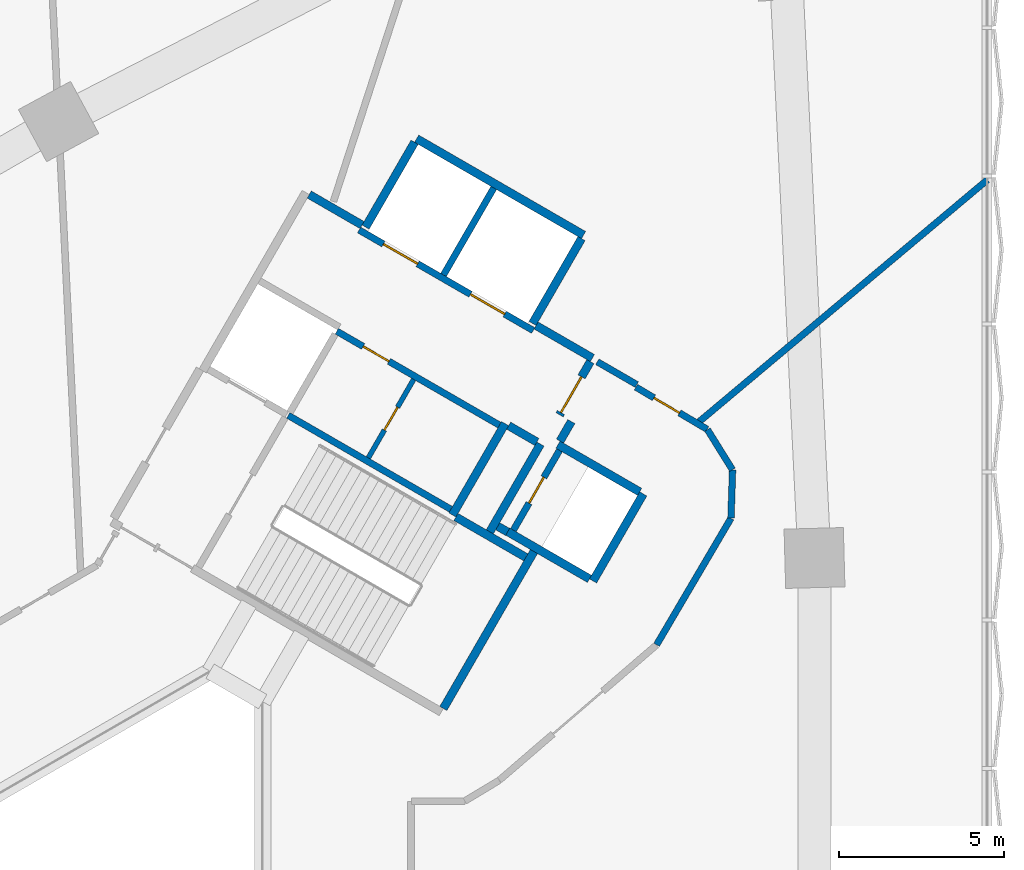
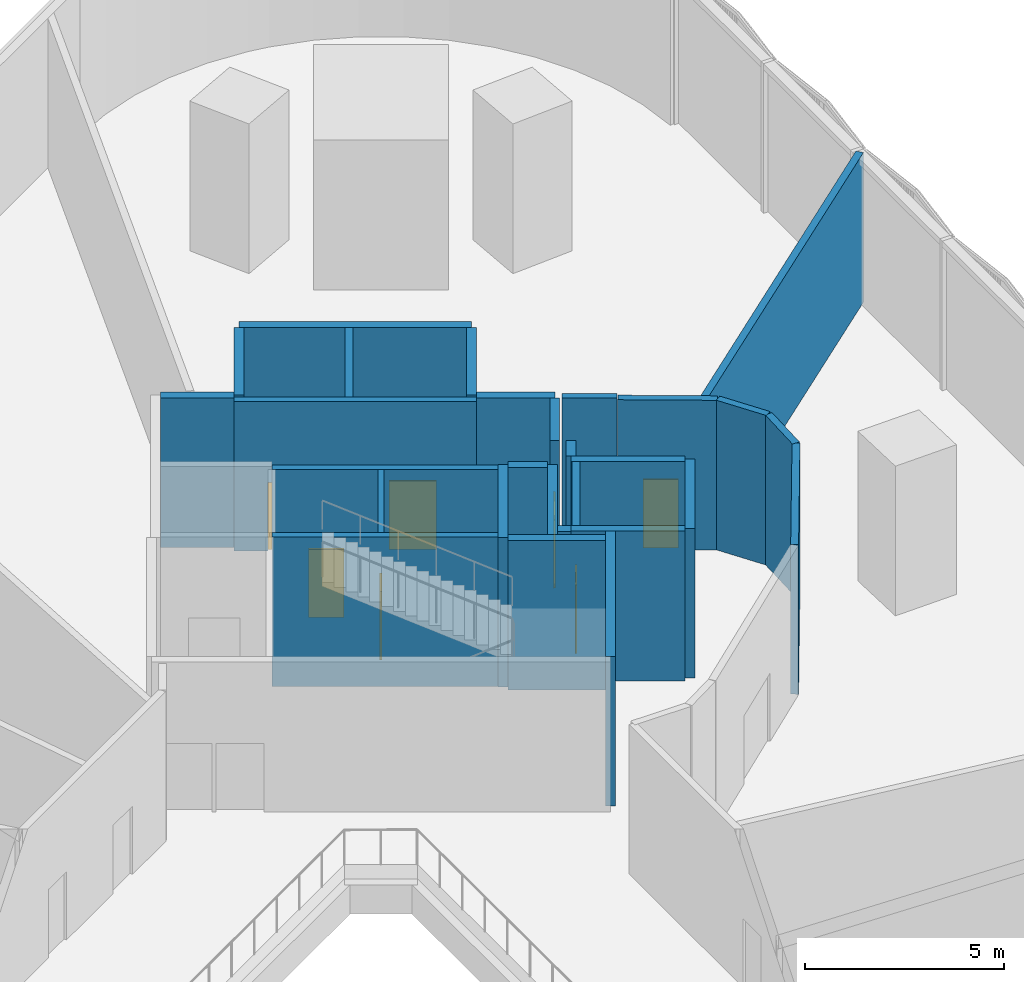
# One storey, part 10 of 14: 28 walls, 7 doors, 7 openings.
"""IFC4 building model written with IfcOpenShell, lengths in metres."""

from ifc_helpers import new_model, si_unit, direction, frame, frame_2d, origin, place, context, subcontext, project, spatial, rectangle, extrude, material, layer, layer_set, type_object, element, fill, save


model = new_model("IFC4")

# Units and contexts
model_context = context("Model", 3, precision=1e-05, world=origin(), true_north=direction((0.0, 1.0)))
body_context = subcontext(model_context, "Body", "Model", "MODEL_VIEW")
ifc_project = project(units=[si_unit("LENGTHUNIT", "METRE"), si_unit("AREAUNIT", "SQUARE_METRE"), si_unit("VOLUMEUNIT", "CUBIC_METRE"), si_unit("PLANEANGLEUNIT", "RADIAN"), si_unit("MASSUNIT", "GRAM", prefix="KILO")], contexts=[model_context])

# Site, building, storey
site_placement = place(None, origin())
site = spatial("IfcSite", under=ifc_project, at=site_placement, CompositionType="ELEMENT")
building_placement = place(site_placement, origin())
building = spatial("IfcBuilding", under=site, at=building_placement, Name="Tamra Quay Hotel Tower", CompositionType="ELEMENT")
storey_placement = place(building_placement, frame((0.0, 0.0, 24.5)))
storey = spatial("IfcBuildingStorey", under=building, at=storey_placement, Name="L04", CompositionType="ELEMENT", Elevation=24.5)

# Wall, openings, doors
ifc_material_1 = material(Name="Concrete M70", Category="concrete")
ifc_layer_1 = layer(ifc_material_1, 0.199951171875)
ifc_layer_set_1 = layer_set([ifc_layer_1], Name="Concrete M70 core wall 200")
wall_type_1 = type_object("IfcWallType", Name="Concrete M70 core wall 200", PredefinedType="SHEAR", material=ifc_layer_set_1)
wall_1_placement = place(storey_placement, frame((13.209716796875, 18.07958984375, 0.0), z_axis=(0.0, 0.0, 1.0), x_axis=(-0.866030299012, 0.499991521122, 0.0)))
wall_1 = element("IfcWall", 1, at=wall_1_placement, inside=storey, type_object=wall_type_1, Name="CW2", PredefinedType="SHEAR", context=body_context, shape_type="SweptSolid", body=[
    extrude(rectangle(XDim=6.10009765625, YDim=0.199951171875, at=frame_2d((3.050048828125, 0.0))), origin(), (0.0, 0.0, 1.0), 4.60009765625),
])
opening_1_placement = place(wall_1_placement, frame((1.0, 0.0, 0.0)))
opening_1 = element("IfcOpeningElement", 2, at=opening_1_placement, cuts=wall_1, Name="Opening LD", PredefinedType="OPENING", context=body_context, shape_type="SweptSolid", body=[
    extrude(rectangle(XDim=1.199951171875, YDim=2.10009765625, at=frame_2d((0.60009765625, 1.050048828125))), frame((0.0, 0.10986328125, 0.0), z_axis=(0.0, -1.0, 0.0), x_axis=(1.0, 0.0, 0.0)), (0.0, 0.0, 1.0), 0.219970703125),
])
opening_2_placement = place(wall_1_placement, frame((4.05029296875, 0.0, 0.0)))
opening_2 = element("IfcOpeningElement", 3, at=opening_2_placement, cuts=wall_1, Name="Opening LD", PredefinedType="OPENING", context=body_context, shape_type="SweptSolid", body=[
    extrude(rectangle(XDim=1.199951171875, YDim=2.10009765625, at=frame_2d((0.60009765625, 1.050048828125))), frame((0.0, 0.10986328125, 0.0), z_axis=(0.0, -1.0, 0.0), x_axis=(1.0, 0.0, 0.0)), (0.0, 0.0, 1.0), 0.219970703125),
])
ifc_material_2 = material(Name="Landing door LD 1200 double door sliding")
door_type_1 = type_object("IfcDoorType", Name="Landing door LD 1200 double door sliding", OperationType="DOUBLE_DOOR_SLIDING", PredefinedType="DOOR", material=ifc_material_2)
door_1_placement = place(opening_1_placement, origin())
door_1 = element("IfcDoor", 4, at=door_1_placement, inside=storey, type_object=door_type_1, Name="LD", OperationType="DOUBLE_DOOR_SLIDING", OverallHeight=2.10009765625, OverallWidth=1.199951171875, PredefinedType="DOOR", context=body_context, shape_type="SweptSolid", body=[
    extrude(rectangle(XDim=1.199951171875, YDim=2.10009765625, at=frame_2d((0.60009765625, 1.050048828125))), frame((0.0, 0.02490234375, 0.0), z_axis=(0.0, -1.0, 0.0), x_axis=(1.0, 0.0, 0.0)), (0.0, 0.0, 1.0), 0.050048828125),
])
fill(opening_1, door_1)
door_2_placement = place(opening_2_placement, origin())
door_2 = element("IfcDoor", 5, at=door_2_placement, inside=storey, type_object=door_type_1, Name="LD", OperationType="DOUBLE_DOOR_SLIDING", OverallHeight=2.10009765625, OverallWidth=1.199951171875, PredefinedType="DOOR", context=body_context, shape_type="SweptSolid", body=[
    extrude(rectangle(XDim=1.199951171875, YDim=2.10009765625, at=frame_2d((0.60009765625, 1.050048828125))), frame((0.0, 0.02490234375, 0.0), z_axis=(0.0, -1.0, 0.0), x_axis=(1.0, 0.0, 0.0)), (0.0, 0.0, 1.0), 0.050048828125),
])
fill(opening_2, door_2)

# Wall
wall_2_placement = place(storey_placement, frame((5.774658203125, 15.501953125, 0.0), z_axis=(0.0, 0.0, 1.0), x_axis=(0.866020080793, -0.500009219579, 0.0)))
element("IfcWall", 6, at=wall_2_placement, inside=storey, type_object=wall_type_1, Name="CW2", PredefinedType="SHEAR", context=body_context, shape_type="SweptSolid", body=[
    extrude(rectangle(XDim=5.69921875, YDim=0.199951171875, at=frame_2d((2.849609375, 0.0))), origin(), (0.0, 0.0, 1.0), 4.60009765625),
])

# Wall, opening, door
wall_3_placement = place(storey_placement, frame((12.18505859375, 15.20703125, 0.0), z_axis=(0.0, 0.0, 1.0), x_axis=(-0.866020080793, 0.500009219579, 0.0)))
wall_3 = element("IfcWall", 7, at=wall_3_placement, inside=storey, type_object=wall_type_1, Name="CW2", PredefinedType="SHEAR", context=body_context, shape_type="SweptSolid", body=[
    extrude(rectangle(XDim=5.69921875, YDim=0.199951171875, at=frame_2d((2.849609375, 0.0))), origin(), (0.0, 0.0, 1.0), 4.60009765625),
])
opening_3_placement = place(wall_3_placement, frame((3.8740234375, 0.0, 0.0)))
opening_3 = element("IfcOpeningElement", 8, at=opening_3_placement, cuts=wall_3, Name="Opening D2", PredefinedType="OPENING", context=body_context, shape_type="SweptSolid", body=[
    extrude(rectangle(XDim=0.89990234375, YDim=2.10009765625, at=frame_2d((0.449951171875, 1.050048828125))), frame((0.0, 0.10986328125, 0.0), z_axis=(0.0, -1.0, 0.0), x_axis=(1.0, 0.0, 0.0)), (0.0, 0.0, 1.0), 0.219970703125),
])
ifc_material_3 = material(Name="Core door D2 900x2100 RH")
door_type_2 = type_object("IfcDoorType", Name="Core door D2 900x2100 RH", OperationType="NOTDEFINED", PredefinedType="DOOR", material=ifc_material_3)
door_3_placement = place(opening_3_placement, origin())
door_3 = element("IfcDoor", 9, at=door_3_placement, inside=storey, type_object=door_type_2, Name="D2", OperationType="SINGLE_SWING_RIGHT", OverallHeight=2.10009765625, OverallWidth=0.89990234375, PredefinedType="DOOR", context=body_context, shape_type="SweptSolid", body=[
    extrude(rectangle(XDim=0.89990234375, YDim=2.10009765625, at=frame_2d((0.449951171875, 1.050048828125))), frame((0.0, 0.02490234375, 0.0), z_axis=(0.0, -1.0, 0.0), x_axis=(1.0, 0.0, 0.0)), (0.0, 0.0, 1.0), 0.050048828125),
])
fill(opening_3, door_3)

# Wall
wall_4_placement = place(storey_placement, frame((10.48876953125, 19.76708984375, 0.0), z_axis=(0.0, 0.0, 1.0), x_axis=(0.499946628782, 0.866056215479, 0.0)))
element("IfcWall", 10, at=wall_4_placement, inside=storey, type_object=wall_type_1, Name="CW2", PredefinedType="SHEAR", context=body_context, shape_type="SweptSolid", body=[
    extrude(rectangle(XDim=3.048095703125, YDim=0.199951171875, at=frame_2d((1.52392578125, 0.0))), origin(), (0.0, 0.0, 1.0), 4.60009765625),
])

# Wall, opening, door
wall_5_placement = place(storey_placement, frame((14.0078125, 14.442138671875, 0.0), z_axis=(0.0, 0.0, 1.0), x_axis=(-0.499986818241, -0.866033014143, 0.0)))
wall_5 = element("IfcWall", 11, at=wall_5_placement, inside=storey, type_object=wall_type_1, Name="CW2", PredefinedType="SHEAR", context=body_context, shape_type="SweptSolid", body=[
    extrude(rectangle(XDim=2.7978515625, YDim=0.199951171875, at=frame_2d((1.39892578125, 0.0))), origin(), (0.0, 0.0, 1.0), 4.60009765625),
])
opening_4_placement = place(wall_5_placement, frame((0.948974609375, 0.0, 0.0)))
opening_4 = element("IfcOpeningElement", 12, at=opening_4_placement, cuts=wall_5, Name="Opening D1", PredefinedType="OPENING", context=body_context, shape_type="SweptSolid", body=[
    extrude(rectangle(XDim=0.89990234375, YDim=2.10009765625, at=frame_2d((0.449951171875, 1.050048828125))), frame((0.0, 0.10986328125, 0.0), z_axis=(0.0, -1.0, 0.0), x_axis=(1.0, 0.0, 0.0)), (0.0, 0.0, 1.0), 0.219970703125),
])
ifc_material_4 = material(Name="Core door D1 900x2100 LH")
door_type_3 = type_object("IfcDoorType", Name="Core door D1 900x2100 LH", OperationType="NOTDEFINED", PredefinedType="DOOR", material=ifc_material_4)
door_4_placement = place(opening_4_placement, origin())
door_4 = element("IfcDoor", 13, at=door_4_placement, inside=storey, type_object=door_type_3, Name="D1", OperationType="SINGLE_SWING_LEFT", OverallHeight=2.10009765625, OverallWidth=0.89990234375, PredefinedType="DOOR", context=body_context, shape_type="SweptSolid", body=[
    extrude(rectangle(XDim=0.89990234375, YDim=2.10009765625, at=frame_2d((0.449951171875, 1.050048828125))), frame((0.0, 0.02490234375, 0.0), z_axis=(0.0, -1.0, 0.0), x_axis=(1.0, 0.0, 0.0)), (0.0, 0.0, 1.0), 0.050048828125),
])
fill(opening_4, door_4)

# Walls
ifc_layer_2 = layer(ifc_material_1, 0.25)
ifc_layer_set_2 = layer_set([ifc_layer_2], Name="Concrete M70 core wall 250")
wall_type_2 = type_object("IfcWallType", Name="Concrete M70 core wall 250", PredefinedType="SHEAR", material=ifc_layer_set_2)
wall_6_placement = place(storey_placement, frame((9.672607421875, 23.9033203125, 0.0), z_axis=(0.0, 0.0, 1.0), x_axis=(0.86603616409, -0.499981362141, 0.0)))
element("IfcWall", 14, at=wall_6_placement, inside=storey, type_object=wall_type_2, Name="CW1", PredefinedType="SHEAR", context=body_context, shape_type="SweptSolid", body=[
    extrude(rectangle(XDim=5.849853515625, YDim=0.25, at=frame_2d((2.9248046875, 0.0))), origin(), (0.0, 0.0, 1.0), 4.60009765625),
])
wall_7_placement = place(storey_placement, frame((13.237548828125, 11.3779296875, 0.0), z_axis=(0.0, 0.0, 1.0), x_axis=(-0.500008851346, -0.866020293397, 0.0)))
element("IfcWall", 15, at=wall_7_placement, inside=storey, type_object=wall_type_2, Name="CW1", PredefinedType="SHEAR", context=body_context, shape_type="SweptSolid", body=[
    extrude(rectangle(XDim=5.509765625, YDim=0.25, at=frame_2d((2.7548828125, 0.0))), origin(), (0.0, 0.0, 1.0), 4.60009765625),
])
wall_8_placement = place(storey_placement, frame((12.356689453125, 15.25244140625, 0.0), z_axis=(0.0, 0.0, 1.0), x_axis=(-0.500028443584, -0.866008981251, 0.0)))
element("IfcWall", 16, at=wall_8_placement, inside=storey, type_object=wall_type_2, Name="CW1", PredefinedType="SHEAR", context=body_context, shape_type="SweptSolid", body=[
    extrude(rectangle(XDim=3.199951171875, YDim=0.25, at=frame_2d((1.60009765625, 0.0))), origin(), (0.0, 0.0, 1.0), 4.60009765625),
])
for number, where, z_axis, x_axis, name in (
    (17, (8.12255859375, 21.21875, 0.0), (0.0, 0.0, 1.0), (0.499987686533, 0.866032512851, 0.0), "CW1"),
    (18, (14.67626953125, 20.869873046875, 0.0), (0.0, 0.0, 1.0), (-0.499987686533, -0.866032512851, 0.0), "CW1"),
):
    element("IfcWall", number, at=place(storey_placement, frame(where, z_axis=z_axis, x_axis=x_axis)), inside=storey, type_object=wall_type_2, Name=name, PredefinedType="SHEAR", context=body_context, shape_type="SweptSolid", body=[
        extrude(rectangle(XDim=2.974609375, YDim=0.25, at=frame_2d((1.4873046875, 0.0))), origin(), (0.0, 0.0, 1.0), 4.60009765625),
    ])
wall_9_placement = place(storey_placement, frame((16.552001953125, 13.118896484375, 0.0), z_axis=(0.0, 0.0, 1.0), x_axis=(-0.499978833458, -0.866037623948, 0.0)))
element("IfcWall", 19, at=wall_9_placement, inside=storey, type_object=wall_type_2, Name="CW1", PredefinedType="SHEAR", context=body_context, shape_type="SweptSolid", body=[
    extrude(rectangle(XDim=3.050048828125, YDim=0.25, at=frame_2d((1.52490234375, 0.0))), origin(), (0.0, 0.0, 1.0), 4.60009765625),
])
wall_10_placement = place(storey_placement, frame((14.91845703125, 10.540283203125, 0.0), z_axis=(0.0, 0.0, 1.0), x_axis=(-0.866063538972, 0.499933942099, 0.0)))
element("IfcWall", 20, at=wall_10_placement, inside=storey, type_object=wall_type_2, Name="CW1", PredefinedType="SHEAR", context=body_context, shape_type="SweptSolid", body=[
    extrude(rectangle(XDim=2.86474609375, YDim=0.25, at=frame_2d((1.432373046875, 0.0))), origin(), (0.0, 0.0, 1.0), 4.60009765625),
])
wall_11_placement = place(storey_placement, frame((13.962646484375, 14.61376953125, 0.0), z_axis=(0.0, 0.0, 1.0), x_axis=(0.866042235819, -0.499970844928, 0.0)))
element("IfcWall", 21, at=wall_11_placement, inside=storey, type_object=wall_type_2, Name="CW1", PredefinedType="SHEAR", context=body_context, shape_type="SweptSolid", body=[
    extrude(rectangle(XDim=2.864501953125, YDim=0.25, at=frame_2d((1.43212890625, 0.0))), origin(), (0.0, 0.0, 1.0), 4.60009765625),
])
wall_12_placement = place(storey_placement, frame((11.887939453125, 11.960693359375, 0.0), z_axis=(0.0, 0.0, 1.0), x_axis=(0.500003324108, 0.866023484601, 0.0)))
element("IfcWall", 22, at=wall_12_placement, inside=storey, type_object=wall_type_2, Name="CW1", PredefinedType="SHEAR", context=body_context, shape_type="SweptSolid", body=[
    extrude(rectangle(XDim=3.0849609375, YDim=0.25, at=frame_2d((1.54248046875, 0.0))), origin(), (0.0, 0.0, 1.0), 4.60009765625),
])
wall_13_placement = place(storey_placement, frame((10.865234375, 12.41845703125, 0.0), z_axis=(0.0, 0.0, 1.0), x_axis=(0.866026229868, -0.499998569178, 0.0)))
element("IfcWall", 23, at=wall_13_placement, inside=storey, type_object=wall_type_2, Name="CW1", PredefinedType="SHEAR", context=body_context, shape_type="SweptSolid", body=[
    extrude(rectangle(XDim=2.44921875, YDim=0.25, at=frame_2d((1.224609375, 0.0))), origin(), (0.0, 0.0, 1.0), 4.60009765625),
])
wall_14_placement = place(storey_placement, frame((13.29736328125, 18.23095703125, 0.0), z_axis=(0.0, 0.0, 1.0), x_axis=(0.866043531843, -0.499968599967, 0.0)))
element("IfcWall", 24, at=wall_14_placement, inside=storey, type_object=wall_type_2, Name="CW1", PredefinedType="SHEAR", context=body_context, shape_type="SweptSolid", body=[
    extrude(rectangle(XDim=1.974853515625, YDim=0.25, at=frame_2d((0.9873046875, 0.0))), origin(), (0.0, 0.0, 1.0), 4.60009765625),
])
wall_15_placement = place(storey_placement, frame((6.41259765625, 22.2060546875, 0.0), z_axis=(0.0, 0.0, 1.0), x_axis=(0.866016279763, -0.500015802937, 0.0)))
element("IfcWall", 25, at=wall_15_placement, inside=storey, type_object=wall_type_2, Name="CW1", PredefinedType="SHEAR", context=body_context, shape_type="SweptSolid", body=[
    extrude(rectangle(XDim=1.84912109375, YDim=0.25, at=frame_2d((0.924560546875, 0.0))), origin(), (0.0, 0.0, 1.0), 4.60009765625),
])

# Wall, opening, door
wall_16_placement = place(storey_placement, frame((14.94482421875, 17.13525390625, 0.0), z_axis=(0.0, 0.0, 1.0), x_axis=(-0.499983108224, -0.866035156036, 0.0)))
wall_16 = element("IfcWall", 26, at=wall_16_placement, inside=storey, type_object=wall_type_2, Name="CW1", PredefinedType="SHEAR", context=body_context, shape_type="SweptSolid", body=[
    extrude(rectangle(XDim=1.86474609375, YDim=0.25, at=frame_2d((0.932373046875, 0.0))), origin(), (0.0, 0.0, 1.0), 4.60009765625),
])
opening_5_placement = place(wall_16_placement, frame((0.53466796875, 0.0, 0.0)))
opening_5 = element("IfcOpeningElement", 27, at=opening_5_placement, cuts=wall_16, Name="Opening FD3", PredefinedType="OPENING", context=body_context, shape_type="SweptSolid", body=[
    extrude(rectangle(XDim=1.25, YDim=2.10009765625, at=frame_2d((0.625, 1.050048828125))), frame((0.0, 0.135009765625, 0.0), z_axis=(0.0, -1.0, 0.0), x_axis=(1.0, 0.0, 0.0)), (0.0, 0.0, 1.0), 0.27001953125),
])
ifc_material_5 = material(Name="Core door FD3 1250x2100 LH")
door_type_4 = type_object("IfcDoorType", Name="Core door FD3 1250x2100 LH", OperationType="NOTDEFINED", PredefinedType="DOOR", material=ifc_material_5)
door_5_placement = place(opening_5_placement, origin())
door_5 = element("IfcDoor", 28, at=door_5_placement, inside=storey, type_object=door_type_4, Name="FD3", OperationType="SINGLE_SWING_LEFT", OverallHeight=2.10009765625, OverallWidth=1.25, PredefinedType="DOOR", context=body_context, shape_type="SweptSolid", body=[
    extrude(rectangle(XDim=1.25, YDim=2.10009765625, at=frame_2d((0.625, 1.050048828125))), frame((0.0, 0.02490234375, 0.0), z_axis=(0.0, -1.0, 0.0), x_axis=(1.0, 0.0, 0.0)), (0.0, 0.0, 1.0), 0.050048828125),
])
fill(opening_5, door_5)

# Walls
wall_17_placement = place(storey_placement, frame((13.322021484375, 14.695068359375, 0.0), z_axis=(0.0, 0.0, 1.0), x_axis=(-0.866017078145, 0.500014420154, 0.0)))
element("IfcWall", 29, at=wall_17_placement, inside=storey, type_object=wall_type_2, Name="CW1", PredefinedType="SHEAR", context=body_context, shape_type="SweptSolid", body=[
    extrude(rectangle(XDim=0.9892578125, YDim=0.25, at=frame_2d((0.49462890625, 0.0))), origin(), (0.0, 0.0, 1.0), 4.60009765625),
])
wall_18_placement = place(storey_placement, frame((14.36767578125, 15.3154296875, 0.0), z_axis=(0.0, 0.0, 1.0), x_axis=(-0.499897359611, -0.866084655132, 0.0)))
element("IfcWall", 30, at=wall_18_placement, inside=storey, type_object=wall_type_2, Name="CW1", PredefinedType="SHEAR", context=body_context, shape_type="SweptSolid", body=[
    extrude(rectangle(XDim=0.684814453125, YDim=0.25, at=frame_2d((0.34228515625, 0.0))), origin(), (0.0, 0.0, 1.0), 4.60009765625),
])
wall_19_placement = place(storey_placement, frame((12.4326171875, 11.9638671875, 0.0), z_axis=(0.0, 0.0, 1.0), x_axis=(-0.866055875208, 0.499947218231, 0.0)))
element("IfcWall", 31, at=wall_19_placement, inside=storey, type_object=wall_type_2, Name="CW1", PredefinedType="SHEAR", context=body_context, shape_type="SweptSolid", body=[
    extrude(rectangle(XDim=0.3447265625, YDim=0.25, at=frame_2d((0.17236328125, 0.0))), origin(), (0.0, 0.0, 1.0), 4.60009765625),
])

# Wall, opening, door
ifc_material_6 = material(Name="Blockwork", Category="masonry")
ifc_layer_3 = layer(ifc_material_6, 0.14990234375)
ifc_layer_set_3 = layer_set([ifc_layer_3], Name="Core partition block 150")
wall_type_3 = type_object("IfcWallType", Name="Core partition block 150", PredefinedType="PARTITIONING", material=ifc_layer_set_3)
wall_20_placement = place(storey_placement, frame((8.20654296875, 14.214111328125, 0.0), z_axis=(0.0, 0.0, 1.0), x_axis=(0.499922376475, 0.866070215109, 0.0)))
wall_20 = element("IfcWall", 32, at=wall_20_placement, inside=storey, type_object=wall_type_3, Name="CP1", PredefinedType="PARTITIONING", context=body_context, shape_type="SweptSolid", body=[
    extrude(rectangle(XDim=2.74853515625, YDim=0.14990234375, at=frame_2d((1.374267578125, 0.0))), origin(), (0.0, 0.0, 1.0), 4.60009765625),
])
opening_6_placement = place(wall_20_placement, frame((0.97412109375, 0.0, 0.0)))
opening_6 = element("IfcOpeningElement", 33, at=opening_6_placement, cuts=wall_20, Name="Opening D3", PredefinedType="OPENING", context=body_context, shape_type="SweptSolid", body=[
    extrude(rectangle(XDim=0.800048828125, YDim=2.10009765625, at=frame_2d((0.39990234375, 1.050048828125))), frame((0.0, 0.0849609375, 0.0), z_axis=(0.0, -1.0, 0.0), x_axis=(1.0, 0.0, 0.0)), (0.0, 0.0, 1.0), 0.169921875),
])
ifc_material_7 = material(Name="Core door D3 800x2100 RH")
door_type_5 = type_object("IfcDoorType", Name="Core door D3 800x2100 RH", OperationType="NOTDEFINED", PredefinedType="DOOR", material=ifc_material_7)
door_6_placement = place(opening_6_placement, origin())
door_6 = element("IfcDoor", 34, at=door_6_placement, inside=storey, type_object=door_type_5, Name="D3", OperationType="SINGLE_SWING_RIGHT", OverallHeight=2.10009765625, OverallWidth=0.800048828125, PredefinedType="DOOR", context=body_context, shape_type="SweptSolid", body=[
    extrude(rectangle(XDim=0.800048828125, YDim=2.10009765625, at=frame_2d((0.39990234375, 1.050048828125))), frame((0.0, 0.02490234375, 0.0), z_axis=(0.0, -1.0, 0.0), x_axis=(1.0, 0.0, 0.0)), (0.0, 0.0, 1.0), 0.050048828125),
])
fill(opening_6, door_6)

# Wall
ifc_material_8 = material(Name="Partition corridor wall")
ifc_layer_4 = layer(ifc_material_8, 0.199951171875)
ifc_layer_set_4 = layer_set([ifc_layer_4], Name="Partition corridor wall")
wall_type_4 = type_object("IfcWallType", Name="Partition corridor wall", PredefinedType="PARTITIONING", material=ifc_layer_set_4)
wall_21_placement = place(storey_placement, frame((15.15576171875, 17.130615234375, 0.0), z_axis=(0.0, 0.0, 1.0), x_axis=(0.865639364436, -0.500668044455, 0.0)))
element("IfcWall", 35, at=wall_21_placement, inside=storey, type_object=wall_type_4, Name="W-C", PredefinedType="PARTITIONING", context=body_context, shape_type="SweptSolid", body=[
    extrude(rectangle(XDim=1.38525390625, YDim=0.199951171875, at=frame_2d((0.692626953125, 0.0))), origin(), (0.0, 0.0, 1.0), 4.60009765625),
])

# Wall, opening, door
wall_22_placement = place(storey_placement, frame((16.329833984375, 16.360107421875, 0.0), z_axis=(0.0, 0.0, 1.0), x_axis=(0.860403612142, -0.5096132104, 0.0)))
wall_22 = element("IfcWall", 36, at=wall_22_placement, inside=storey, type_object=wall_type_4, Name="W-C", PredefinedType="PARTITIONING", context=body_context, shape_type="SweptSolid", body=[
    extrude(rectangle(XDim=2.51171875, YDim=0.199951171875, at=frame_2d((1.255859375, 0.0))), origin(), (0.0, 0.0, 1.0), 4.60009765625),
])
opening_7_placement = place(wall_22_placement, frame((0.634521484375, 0.0, 0.0)))
opening_7 = element("IfcOpeningElement", 37, at=opening_7_placement, cuts=wall_22, Name="Opening L04-D002", PredefinedType="OPENING", context=body_context, shape_type="SweptSolid", body=[
    extrude(rectangle(XDim=0.89990234375, YDim=2.10009765625, at=frame_2d((0.449951171875, 1.050048828125))), frame((0.0, 0.10986328125, 0.0), z_axis=(0.0, -1.0, 0.0), x_axis=(1.0, 0.0, 0.0)), (0.0, 0.0, 1.0), 0.219970703125),
])
ifc_material_9 = material(Name="Door service room 900x2100")
door_type_6 = type_object("IfcDoorType", Name="Door service room 900x2100", OperationType="NOTDEFINED", PredefinedType="DOOR", material=ifc_material_9)
door_7_placement = place(opening_7_placement, origin())
door_7 = element("IfcDoor", 38, at=door_7_placement, inside=storey, type_object=door_type_6, Name="L04-D002", OperationType="SINGLE_SWING_LEFT", OverallHeight=2.10009765625, OverallWidth=0.89990234375, PredefinedType="DOOR", context=body_context, shape_type="SweptSolid", body=[
    extrude(rectangle(XDim=0.89990234375, YDim=2.10009765625, at=frame_2d((0.449951171875, 1.050048828125))), frame((0.0, 0.02490234375, 0.0), z_axis=(0.0, -1.0, 0.0), x_axis=(1.0, 0.0, 0.0)), (0.0, 0.0, 1.0), 0.050048828125),
])
fill(opening_7, door_7)

# Walls
wall_23_placement = place(storey_placement, frame((16.9560546875, 8.5400390625, 0.0), z_axis=(0.0, 0.0, 1.0), x_axis=(0.506799683615, 0.862063849542, 0.0)))
element("IfcWall", 39, at=wall_23_placement, inside=storey, type_object=wall_type_4, Name="W-C", PredefinedType="PARTITIONING", context=body_context, shape_type="SweptSolid", body=[
    extrude(rectangle(XDim=4.453125, YDim=0.199951171875, at=frame_2d((2.2265625, 0.0))), origin(), (0.0, 0.0, 1.0), 4.60009765625),
])
wall_24_placement = place(storey_placement, frame((18.4990234375, 15.072021484375, 0.0), z_axis=(0.0, 0.0, 1.0), x_axis=(0.528576945796, -0.848885394133, 0.0)))
element("IfcWall", 40, at=wall_24_placement, inside=storey, type_object=wall_type_4, Name="W-C", PredefinedType="PARTITIONING", context=body_context, shape_type="SweptSolid", body=[
    extrude(rectangle(XDim=1.43603515625, YDim=0.199951171875, at=frame_2d((0.718017578125, 0.0))), origin(), (0.0, 0.0, 1.0), 4.60009765625),
])
wall_25_placement = place(storey_placement, frame((19.214111328125, 12.385009765625, 0.0), z_axis=(0.0, 0.0, 1.0), x_axis=(0.032802164331, 0.999461864213, 0.0)))
element("IfcWall", 41, at=wall_25_placement, inside=storey, type_object=wall_type_4, Name="W-C", PredefinedType="PARTITIONING", context=body_context, shape_type="SweptSolid", body=[
    extrude(rectangle(XDim=1.458740234375, YDim=0.199951171875, at=frame_2d((0.7294921875, 0.0))), origin(), (0.0, 0.0, 1.0), 4.60009765625),
])
ifc_material_10 = material(Name="Partition party wall")
ifc_layer_5 = layer(ifc_material_10, 0.199951171875)
ifc_layer_set_5 = layer_set([ifc_layer_5], Name="Partition party wall")
wall_type_5 = type_object("IfcWallType", Name="Partition party wall", PredefinedType="PARTITIONING", material=ifc_layer_set_5)
wall_26_placement = place(storey_placement, frame((18.18798828125, 15.260986328125, 0.0), z_axis=(0.0, 0.0, 1.0), x_axis=(0.766013459385, 0.642824532855, 0.0)))
element("IfcWall", 42, at=wall_26_placement, inside=storey, type_object=wall_type_5, Name="W-P", PredefinedType="PARTITIONING", context=body_context, shape_type="SweptSolid", body=[
    extrude(rectangle(XDim=11.49853515625, YDim=0.199951171875, at=frame_2d((5.749267578125, 0.0))), origin(), (0.0, 0.0, 1.0), 4.60009765625),
])

save(model, "model.ifc")
